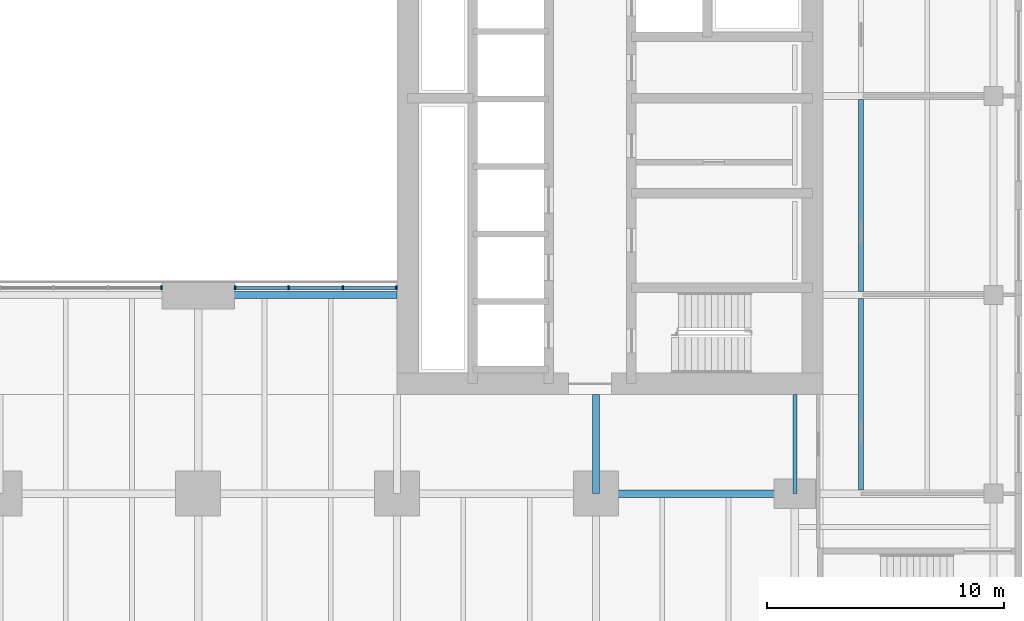
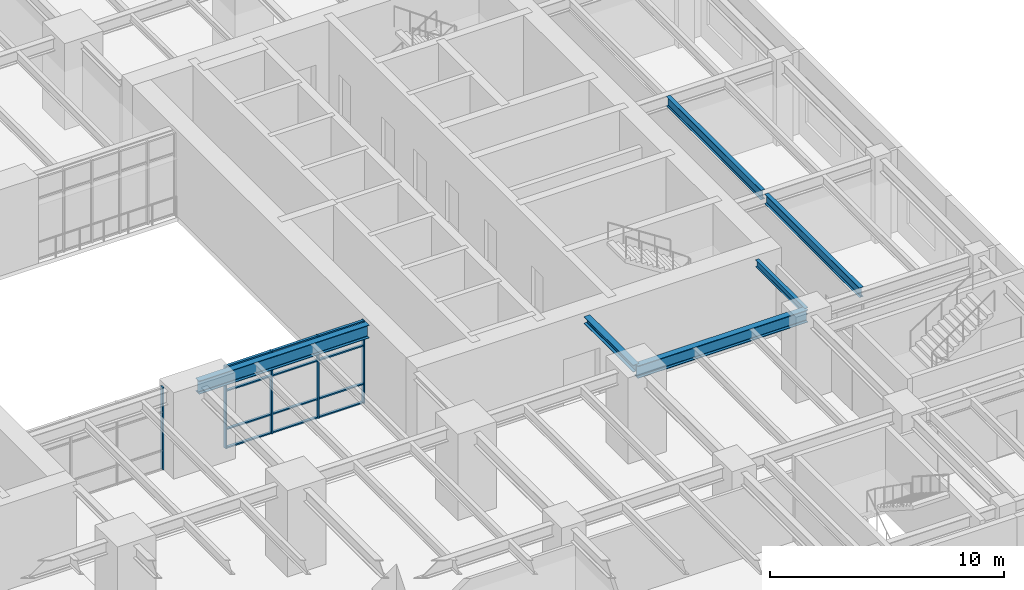
# One storey, part 4 of 26: 17 members, 6 beams, 2 elements without a shape of their own.
"""IFC4 building model written with IfcOpenShell, lengths in metres."""

from ifc_helpers import new_model, si_unit, direction, frame, origin, origin_2d, place, context, subcontext, project, spatial, rectangle, i_section, extrude, material, material_profile, profile_set, type_object, element, aggregate, save


model = new_model("IFC4")

# Units and contexts
model_context = context("Model", 3, precision=1e-05, world=origin(), true_north=direction((0.0, 1.0)))
body_context = subcontext(model_context, "Body", "Model", "MODEL_VIEW")
ifc_project = project(units=[si_unit("LENGTHUNIT", "METRE"), si_unit("AREAUNIT", "SQUARE_METRE"), si_unit("VOLUMEUNIT", "CUBIC_METRE"), si_unit("PLANEANGLEUNIT", "RADIAN"), si_unit("MASSUNIT", "GRAM", prefix="KILO")], contexts=[model_context])

# Site, building, storey
site_placement = place(None, origin())
site = spatial("IfcSite", under=ifc_project, at=site_placement, CompositionType="ELEMENT")
building_placement = place(site_placement, origin())
building = spatial("IfcBuilding", under=site, at=building_placement, Name="Claustro Exchange Tower", CompositionType="ELEMENT")
storey_placement = place(building_placement, frame((0.0, 0.0, 9.89990234375)))
storey = spatial("IfcBuildingStorey", under=building, at=storey_placement, Name="L02", CompositionType="ELEMENT", Elevation=9.89990234375)

# Beams
ifc_material_1 = material(Name="Steel S355", Category="steel")
ifc_material_profile_1 = material_profile(ifc_material_1, i_section(OverallWidth=0.300048828125, OverallDepth=0.68994140625, WebThickness=0.014404296875, FlangeThickness=0.027099609375, FilletRadius=0.027099609375, at=origin_2d()), Name="HE 700 A")
ifc_profile_set_1 = profile_set([ifc_material_profile_1], Name="Steel S355")
beam_type_1 = type_object("IfcBeamType", Name="B13 HE 700 A light well edge girder", PredefinedType="BEAM", material=ifc_profile_set_1)
beam_1_placement = place(storey_placement, frame((25.199951171875, 16.800048828125, 3.955078125), z_axis=(1.0, 0.0, 0.0), x_axis=(0.0, 1.0, 0.0)))
element("IfcBeam", 1, at=beam_1_placement, inside=storey, type_object=beam_type_1, Name="Beam B13 L03", PredefinedType="BEAM", context=body_context, shape_type="SweptSolid", body=[
    extrude(i_section(OverallWidth=0.300048828125, OverallDepth=0.68994140625, WebThickness=0.014404296875, FlangeThickness=0.027099609375, FilletRadius=0.027099609375, at=origin_2d()), origin(), (0.0, 0.0, 1.0), 8.400146484375),
])
ifc_material_2 = material(Name="Steel S355", Category="steel")
ifc_material_profile_2 = material_profile(ifc_material_2, i_section(OverallWidth=0.169921875, OverallDepth=0.360107421875, WebThickness=0.008056640625, FlangeThickness=0.0126953125, FilletRadius=0.01806640625, at=origin_2d()), Name="IPE 360")
ifc_profile_set_2 = profile_set([ifc_material_profile_2], Name="Steel S355")
beam_type_2 = type_object("IfcBeamType", Name="B16 IPE 360 short-span beam", PredefinedType="BEAM", material=ifc_profile_set_2)
beam_2_placement = place(storey_placement, frame((50.39990234375, 8.39990234375, 4.1201171875), z_axis=(0.0, 1.0, 0.0), x_axis=(-1.0, 0.0, 0.0)))
element("IfcBeam", 2, at=beam_2_placement, inside=storey, type_object=beam_type_2, Name="Beam B16 L03", PredefinedType="BEAM", context=body_context, shape_type="SweptSolid", body=[
    extrude(i_section(OverallWidth=0.169921875, OverallDepth=0.360107421875, WebThickness=0.008056640625, FlangeThickness=0.0126953125, FilletRadius=0.01806640625, at=origin_2d()), origin(), (0.0, 0.0, 1.0), 4.2001953125),
])
ifc_material_3 = material(Name="Steel S355", Category="steel")
ifc_material_profile_3 = material_profile(ifc_material_3, i_section(OverallWidth=0.300048828125, OverallDepth=0.64990234375, WebThickness=0.01611328125, FlangeThickness=0.031005859375, FilletRadius=0.027099609375, at=origin_2d()), Name="HE 650 B")
ifc_profile_set_3 = profile_set([ifc_material_profile_3], Name="Steel S355")
beam_type_3 = type_object("IfcBeamType", Name="B1A HE 650 B floor girder", PredefinedType="BEAM", material=ifc_profile_set_3)
beam_3_placement = place(storey_placement, frame((42.0, 8.39990234375, 3.97509765625), z_axis=(1.0, 0.0, 0.0), x_axis=(0.0, 1.0, 0.0)))
element("IfcBeam", 3, at=beam_3_placement, inside=storey, type_object=beam_type_3, Name="Beam B1A L03", PredefinedType="BEAM", context=body_context, shape_type="SweptSolid", body=[
    extrude(i_section(OverallWidth=0.300048828125, OverallDepth=0.64990234375, WebThickness=0.01611328125, FlangeThickness=0.031005859375, FilletRadius=0.027099609375, at=origin_2d()), origin(), (0.0, 0.0, 1.0), 8.39990234375),
])
ifc_material_4 = material(Name="Steel S355", Category="steel")
ifc_material_profile_4 = material_profile(ifc_material_4, i_section(OverallWidth=0.199951171875, OverallDepth=0.5, WebThickness=0.01025390625, FlangeThickness=0.01611328125, FilletRadius=0.02099609375, at=origin_2d()), Name="IPE 500")
ifc_profile_set_4 = profile_set([ifc_material_profile_4], Name="Steel S355")
beam_type_4 = type_object("IfcBeamType", Name="B2 IPE 500 secondary beam", PredefinedType="BEAM", material=ifc_profile_set_4)
beam_4_placement = place(storey_placement, frame((53.199951171875, 8.550048828125, 4.050048828125), z_axis=(0.0, 1.0, 0.0), x_axis=(-1.0, 0.0, 0.0)))
element("IfcBeam", 4, at=beam_4_placement, inside=storey, type_object=beam_type_4, Name="Beam B2 L03", PredefinedType="BEAM", context=body_context, shape_type="SweptSolid", body=[
    extrude(i_section(OverallWidth=0.199951171875, OverallDepth=0.5, WebThickness=0.01025390625, FlangeThickness=0.01611328125, FilletRadius=0.02099609375, at=origin_2d()), origin(), (0.0, 0.0, 1.0), 8.099853515625),
])
beam_5_placement = place(storey_placement, frame((53.199951171875, 16.949951171875, 4.050048828125), z_axis=(0.0, 1.0, 0.0), x_axis=(-1.0, 0.0, 0.0)))
element("IfcBeam", 5, at=beam_5_placement, inside=storey, type_object=beam_type_4, Name="Beam B2 L03", PredefinedType="BEAM", context=body_context, shape_type="SweptSolid", body=[
    extrude(i_section(OverallWidth=0.199951171875, OverallDepth=0.5, WebThickness=0.01025390625, FlangeThickness=0.01611328125, FilletRadius=0.02099609375, at=origin_2d()), origin(), (0.0, 0.0, 1.0), 8.10009765625),
])
ifc_material_5 = material(Name="Steel S355", Category="steel")
ifc_material_profile_5 = material_profile(ifc_material_5, i_section(OverallWidth=0.300048828125, OverallDepth=0.360107421875, WebThickness=0.012451171875, FlangeThickness=0.0224609375, FilletRadius=0.027099609375, at=origin_2d()), Name="HE 360 B")
ifc_profile_set_5 = profile_set([ifc_material_profile_5], Name="Steel S355")
beam_type_5 = type_object("IfcBeamType", Name="B29 HE 360 B column to core link beam", PredefinedType="BEAM", material=ifc_profile_set_5)
beam_6_placement = place(storey_placement, frame((42.0, 8.39990234375, 4.1201171875), z_axis=(0.0, 1.0, 0.0), x_axis=(-1.0, 0.0, 0.0)))
element("IfcBeam", 6, at=beam_6_placement, inside=storey, type_object=beam_type_5, Name="Beam B29 L03", PredefinedType="BEAM", context=body_context, shape_type="SweptSolid", body=[
    extrude(i_section(OverallWidth=0.300048828125, OverallDepth=0.360107421875, WebThickness=0.012451171875, FlangeThickness=0.0224609375, FilletRadius=0.027099609375, at=origin_2d()), origin(), (0.0, 0.0, 1.0), 4.2001953125),
])

# Curtain wall, member
ifc_material_6 = material(Name="Aluminium frame, clear double glazing", Category="aluminium")
curtain_wall_type = type_object("IfcCurtainWallType", Name="CW3 light well curtain wall", PredefinedType="USERDEFINED", material=ifc_material_6)
curtain_wall_1_placement = place(storey_placement, origin())
curtain_wall_1 = element("IfcCurtainWall", 7, at=curtain_wall_1_placement, inside=storey, type_object=curtain_wall_type, Name="Curtain wall CW3 L02", ObjectType="STICK CURTAIN WALL", PredefinedType="USERDEFINED")
ifc_material_7 = material(Name="Aluminium mullion", Category="aluminium")
ifc_material_profile_6 = material_profile(ifc_material_7, rectangle(XDim=0.179931640625, YDim=0.06494140625, at=origin_2d()), Name="CW3-M 65x180")
ifc_profile_set_6 = profile_set([ifc_material_profile_6], Name="Aluminium mullion")
member_type_1 = type_object("IfcMemberType", Name="CW3-M 65 x 180 mullion", PredefinedType="MULLION", material=ifc_profile_set_6)
member_1_placement = place(storey_placement, frame((23.642578125, 17.10009765625, 0.0), z_axis=(0.0, 0.0, 1.0), x_axis=(0.0, 1.0, 0.0)))
member_1 = element("IfcMember", 8, at=member_1_placement, type_object=member_type_1, Name="CW3 mullion 4", PredefinedType="MULLION", context=body_context, shape_type="SweptSolid", body=[
    extrude(rectangle(XDim=0.179931640625, YDim=0.06494140625, at=origin_2d()), origin(), (0.0, 0.0, 1.0), 4.300048828125),
])
aggregate(curtain_wall_1, [member_1])

# Curtain wall, members
curtain_wall_2_placement = place(storey_placement, origin())
curtain_wall_2 = element("IfcCurtainWall", 9, at=curtain_wall_2_placement, inside=storey, type_object=curtain_wall_type, Name="Curtain wall CW3 L02", ObjectType="STICK CURTAIN WALL", PredefinedType="USERDEFINED")
member_2_placement = place(storey_placement, frame((26.757568359375, 17.10009765625, 0.0), z_axis=(0.0, 0.0, 1.0), x_axis=(0.0, 1.0, 0.0)))
member_2 = element("IfcMember", 10, at=member_2_placement, type_object=member_type_1, Name="CW3 mullion 1", PredefinedType="MULLION", context=body_context, shape_type="SweptSolid", body=[
    extrude(rectangle(XDim=0.179931640625, YDim=0.06494140625, at=origin_2d()), origin(), (0.0, 0.0, 1.0), 4.300048828125),
])
member_3_placement = place(storey_placement, frame((29.0166015625, 17.10009765625, 0.0), z_axis=(0.0, 0.0, 1.0), x_axis=(0.0, 1.0, 0.0)))
member_3 = element("IfcMember", 11, at=member_3_placement, type_object=member_type_1, Name="CW3 mullion 2", PredefinedType="MULLION", context=body_context, shape_type="SweptSolid", body=[
    extrude(rectangle(XDim=0.179931640625, YDim=0.06494140625, at=origin_2d()), origin(), (0.0, 0.0, 1.0), 4.300048828125),
])
member_4_placement = place(storey_placement, frame((31.308349609375, 17.10009765625, 0.0), z_axis=(0.0, 0.0, 1.0), x_axis=(0.0, 1.0, 0.0)))
member_4 = element("IfcMember", 12, at=member_4_placement, type_object=member_type_1, Name="CW3 mullion 3", PredefinedType="MULLION", context=body_context, shape_type="SweptSolid", body=[
    extrude(rectangle(XDim=0.179931640625, YDim=0.06494140625, at=origin_2d()), origin(), (0.0, 0.0, 1.0), 4.300048828125),
])
member_5_placement = place(storey_placement, frame((33.5673828125, 17.10009765625, 0.0), z_axis=(0.0, 0.0, 1.0), x_axis=(0.0, 1.0, 0.0)))
member_5 = element("IfcMember", 13, at=member_5_placement, type_object=member_type_1, Name="CW3 mullion 4", PredefinedType="MULLION", context=body_context, shape_type="SweptSolid", body=[
    extrude(rectangle(XDim=0.179931640625, YDim=0.06494140625, at=origin_2d()), origin(), (0.0, 0.0, 1.0), 4.300048828125),
])
ifc_material_8 = material(Name="Aluminium transom", Category="aluminium")
ifc_material_profile_7 = material_profile(ifc_material_8, rectangle(XDim=0.1298828125, YDim=0.06494140625, at=origin_2d()), Name="CW3-T 65x130")
ifc_profile_set_7 = profile_set([ifc_material_profile_7], Name="Aluminium transom")
member_type_2 = type_object("IfcMemberType", Name="CW3-T 65 x 130 transom", PredefinedType="USERDEFINED", material=ifc_profile_set_7)
member_6_placement = place(storey_placement, frame((26.7900390625, 17.10009765625, 0.03271484375), z_axis=(1.0, 0.0, 0.0), x_axis=(0.0, 1.0, 0.0)))
member_6 = element("IfcMember", 14, at=member_6_placement, type_object=member_type_2, Name="CW3 transom 1.1", ObjectType="TRANSOM", PredefinedType="USERDEFINED", context=body_context, shape_type="SweptSolid", body=[
    extrude(rectangle(XDim=0.1298828125, YDim=0.06494140625, at=origin_2d()), origin(), (0.0, 0.0, 1.0), 2.194091796875),
])
member_7_placement = place(storey_placement, frame((26.7900390625, 17.10009765625, 1.0), z_axis=(1.0, 0.0, 0.0), x_axis=(0.0, 1.0, 0.0)))
member_7 = element("IfcMember", 15, at=member_7_placement, type_object=member_type_2, Name="CW3 transom 1.2", ObjectType="TRANSOM", PredefinedType="USERDEFINED", context=body_context, shape_type="SweptSolid", body=[
    extrude(rectangle(XDim=0.1298828125, YDim=0.06494140625, at=origin_2d()), origin(), (0.0, 0.0, 1.0), 2.194091796875),
])
member_8_placement = place(storey_placement, frame((26.7900390625, 17.10009765625, 3.0), z_axis=(1.0, 0.0, 0.0), x_axis=(0.0, 1.0, 0.0)))
member_8 = element("IfcMember", 16, at=member_8_placement, type_object=member_type_2, Name="CW3 transom 1.3", ObjectType="TRANSOM", PredefinedType="USERDEFINED", context=body_context, shape_type="SweptSolid", body=[
    extrude(rectangle(XDim=0.1298828125, YDim=0.06494140625, at=origin_2d()), origin(), (0.0, 0.0, 1.0), 2.194091796875),
])
member_9_placement = place(storey_placement, frame((26.7900390625, 17.10009765625, 4.267578125), z_axis=(1.0, 0.0, 0.0), x_axis=(0.0, 1.0, 0.0)))
member_9 = element("IfcMember", 17, at=member_9_placement, type_object=member_type_2, Name="CW3 transom 1.4", ObjectType="TRANSOM", PredefinedType="USERDEFINED", context=body_context, shape_type="SweptSolid", body=[
    extrude(rectangle(XDim=0.1298828125, YDim=0.06494140625, at=origin_2d()), origin(), (0.0, 0.0, 1.0), 2.194091796875),
])
member_10_placement = place(storey_placement, frame((29.049072265625, 17.10009765625, 0.03271484375), z_axis=(1.0, 0.0, 0.0), x_axis=(0.0, 1.0, 0.0)))
member_10 = element("IfcMember", 18, at=member_10_placement, type_object=member_type_2, Name="CW3 transom 2.1", ObjectType="TRANSOM", PredefinedType="USERDEFINED", context=body_context, shape_type="SweptSolid", body=[
    extrude(rectangle(XDim=0.1298828125, YDim=0.06494140625, at=origin_2d()), origin(), (0.0, 0.0, 1.0), 2.226806640625),
])
member_11_placement = place(storey_placement, frame((29.049072265625, 17.10009765625, 1.0), z_axis=(1.0, 0.0, 0.0), x_axis=(0.0, 1.0, 0.0)))
member_11 = element("IfcMember", 19, at=member_11_placement, type_object=member_type_2, Name="CW3 transom 2.2", ObjectType="TRANSOM", PredefinedType="USERDEFINED", context=body_context, shape_type="SweptSolid", body=[
    extrude(rectangle(XDim=0.1298828125, YDim=0.06494140625, at=origin_2d()), origin(), (0.0, 0.0, 1.0), 2.226806640625),
])
member_12_placement = place(storey_placement, frame((29.049072265625, 17.10009765625, 3.0), z_axis=(1.0, 0.0, 0.0), x_axis=(0.0, 1.0, 0.0)))
member_12 = element("IfcMember", 20, at=member_12_placement, type_object=member_type_2, Name="CW3 transom 2.3", ObjectType="TRANSOM", PredefinedType="USERDEFINED", context=body_context, shape_type="SweptSolid", body=[
    extrude(rectangle(XDim=0.1298828125, YDim=0.06494140625, at=origin_2d()), origin(), (0.0, 0.0, 1.0), 2.226806640625),
])
member_13_placement = place(storey_placement, frame((29.049072265625, 17.10009765625, 4.267578125), z_axis=(1.0, 0.0, 0.0), x_axis=(0.0, 1.0, 0.0)))
member_13 = element("IfcMember", 21, at=member_13_placement, type_object=member_type_2, Name="CW3 transom 2.4", ObjectType="TRANSOM", PredefinedType="USERDEFINED", context=body_context, shape_type="SweptSolid", body=[
    extrude(rectangle(XDim=0.1298828125, YDim=0.06494140625, at=origin_2d()), origin(), (0.0, 0.0, 1.0), 2.226806640625),
])
member_14_placement = place(storey_placement, frame((31.3408203125, 17.10009765625, 0.03271484375), z_axis=(1.0, 0.0, 0.0), x_axis=(0.0, 1.0, 0.0)))
member_14 = element("IfcMember", 22, at=member_14_placement, type_object=member_type_2, Name="CW3 transom 3.1", ObjectType="TRANSOM", PredefinedType="USERDEFINED", context=body_context, shape_type="SweptSolid", body=[
    extrude(rectangle(XDim=0.1298828125, YDim=0.06494140625, at=origin_2d()), origin(), (0.0, 0.0, 1.0), 2.194091796875),
])
member_15_placement = place(storey_placement, frame((31.3408203125, 17.10009765625, 1.0), z_axis=(1.0, 0.0, 0.0), x_axis=(0.0, 1.0, 0.0)))
member_15 = element("IfcMember", 23, at=member_15_placement, type_object=member_type_2, Name="CW3 transom 3.2", ObjectType="TRANSOM", PredefinedType="USERDEFINED", context=body_context, shape_type="SweptSolid", body=[
    extrude(rectangle(XDim=0.1298828125, YDim=0.06494140625, at=origin_2d()), origin(), (0.0, 0.0, 1.0), 2.194091796875),
])
member_16_placement = place(storey_placement, frame((31.3408203125, 17.10009765625, 3.0), z_axis=(1.0, 0.0, 0.0), x_axis=(0.0, 1.0, 0.0)))
member_16 = element("IfcMember", 24, at=member_16_placement, type_object=member_type_2, Name="CW3 transom 3.3", ObjectType="TRANSOM", PredefinedType="USERDEFINED", context=body_context, shape_type="SweptSolid", body=[
    extrude(rectangle(XDim=0.1298828125, YDim=0.06494140625, at=origin_2d()), origin(), (0.0, 0.0, 1.0), 2.194091796875),
])
member_17_placement = place(storey_placement, frame((31.3408203125, 17.10009765625, 4.267578125), z_axis=(1.0, 0.0, 0.0), x_axis=(0.0, 1.0, 0.0)))
member_17 = element("IfcMember", 25, at=member_17_placement, type_object=member_type_2, Name="CW3 transom 3.4", ObjectType="TRANSOM", PredefinedType="USERDEFINED", context=body_context, shape_type="SweptSolid", body=[
    extrude(rectangle(XDim=0.1298828125, YDim=0.06494140625, at=origin_2d()), origin(), (0.0, 0.0, 1.0), 2.194091796875),
])
aggregate(curtain_wall_2, [member_2, member_3, member_4, member_5, member_6, member_7, member_8, member_9, member_10, member_11, member_12, member_13, member_14, member_15, member_16, member_17])

save(model, "model.ifc")
